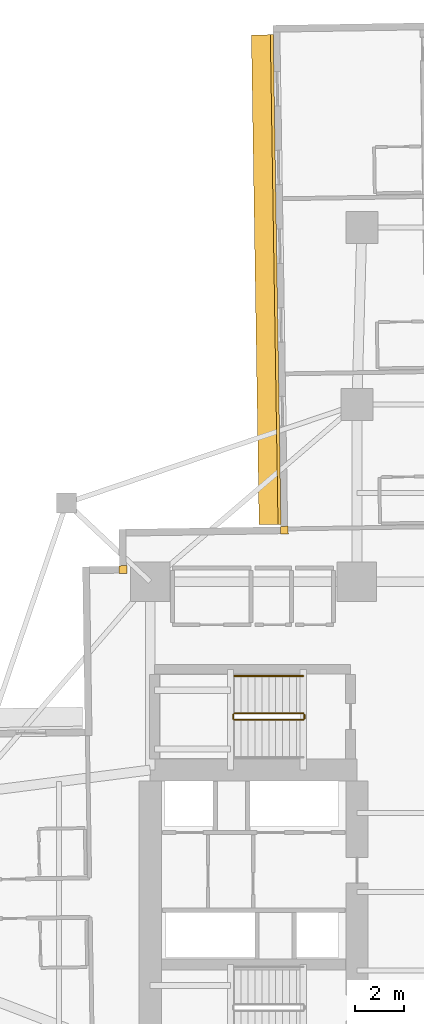
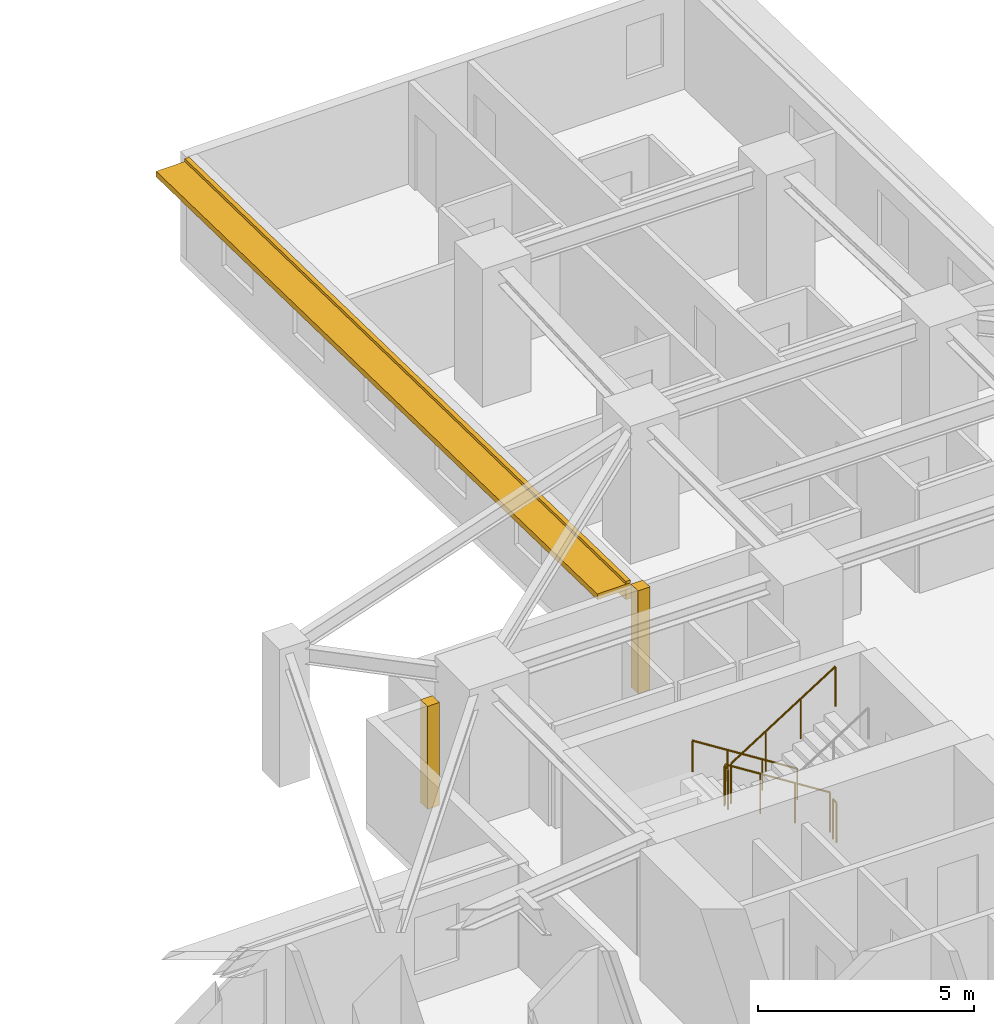
# One storey, part 13 of 14: 5 railings, 3 coverings, 1 shading device.
"""IFC4 building model written with IfcOpenShell, lengths in metres."""

from ifc_helpers import new_model, si_unit, direction, frame, origin, origin_2d, place, context, subcontext, project, spatial, rectangle, circle, extrude, material, layer, layer_set, type_object, element, save


model = new_model("IFC4")

# Units and contexts
model_context = context("Model", 3, precision=1e-05, world=origin(), true_north=direction((0.0, 1.0)))
body_context = subcontext(model_context, "Body", "Model", "MODEL_VIEW")
ifc_project = project(units=[si_unit("LENGTHUNIT", "METRE"), si_unit("AREAUNIT", "SQUARE_METRE"), si_unit("VOLUMEUNIT", "CUBIC_METRE"), si_unit("PLANEANGLEUNIT", "RADIAN"), si_unit("MASSUNIT", "GRAM", prefix="KILO")], contexts=[model_context])

# Site, building, storey
site_placement = place(None, origin())
site = spatial("IfcSite", under=ifc_project, at=site_placement, CompositionType="ELEMENT")
building_placement = place(site_placement, origin())
building = spatial("IfcBuilding", under=site, at=building_placement, Name="Qingluan Cross Belvedere", CompositionType="ELEMENT")
storey_placement = place(building_placement, frame((0.0, 0.0, 27.60009765625)))
storey = spatial("IfcBuildingStorey", under=building, at=storey_placement, Name="L07", CompositionType="ELEMENT", Elevation=27.60009765625)

# Coverings
ifc_material_1 = material(Name="Precast concrete C45", Category="concrete")
ifc_layer_1 = layer(ifc_material_1, 0.1201171875, Name="ConcreteSpandrelCladding_120")
ifc_layer_set_1 = layer_set([ifc_layer_1], Name="Precast concrete C45")
covering_type = type_object("IfcCoveringType", Name="ConcreteSpandrelCladding_120", PredefinedType="CLADDING", material=ifc_layer_set_1)
covering_placement = place(storey_placement, frame((-7.3017578125, 24.87841796875, 2.449951171875), z_axis=(0.0, 0.0, 1.0), x_axis=(0.015711457647, -0.999876567432, 0.0)))
element("IfcCovering", 1, at=covering_placement, inside=storey, type_object=covering_type, Name="Spandrel cladding L07-NB", PredefinedType="CLADDING", context=body_context, shape_type="SweptSolid", body=[
    extrude(rectangle(XDim=19.89990234375, YDim=0.1201171875, at=origin_2d()), origin(), (0.0, 0.0, 1.0), 0.52001953125),
])
for number, where, z_axis, x_axis, name in (
    (2, (-13.50732421875, 13.089599609375, 0.0), (0.0, 0.0, 1.0), (0.999876632482, 0.015707317312, 0.0), "Corner closure L07-NW1"),
    (3, (-6.95166015625, 14.692626953125, 0.0), (0.0, 0.0, 1.0), (0.999876632482, 0.015707317312, 0.0), "Corner closure L07-NW2"),
):
    element("IfcCovering", number, at=place(storey_placement, frame(where, z_axis=z_axis, x_axis=x_axis)), inside=storey, type_object=covering_type, Name=name, PredefinedType="CLADDING", context=body_context, shape_type="SweptSolid", body=[
        extrude(rectangle(XDim=0.320068359375, YDim=0.320068359375, at=origin_2d()), origin(), (0.0, 0.0, 1.0), 2.909912109375),
    ])

# Shading device
ifc_material_2 = material(Name="Precast concrete C45", Category="concrete")
ifc_layer_2 = layer(ifc_material_2, 0.159912109375, Name="ConcreteSunshadeBand_900")
ifc_layer_set_2 = layer_set([ifc_layer_2], Name="Precast concrete C45")
shading_device_type = type_object("IfcShadingDeviceType", Name="ConcreteSunshadeBand_900", PredefinedType="USERDEFINED", material=ifc_layer_set_2)
shading_device_placement = place(storey_placement, frame((-7.681640625, 24.872314453125, 2.72998046875), z_axis=(0.0, 0.0, 1.0), x_axis=(0.015711457647, -0.999876567432, 0.0)))
element("IfcShadingDevice", 4, at=shading_device_placement, inside=storey, type_object=shading_device_type, Name="Concrete SUNSHADE L07-NB", ObjectType="SUNSHADE", PredefinedType="USERDEFINED", context=body_context, shape_type="SweptSolid", body=[
    extrude(rectangle(XDim=19.89990234375, YDim=0.89990234375, at=origin_2d()), origin(), (0.0, 0.0, 1.0), 0.159912109375),
])

# Railings
ifc_material_3 = material(Name="Brushed stainless steel tubular handrail", Category="steel")
railing_type_1 = type_object("IfcRailingType", Name="StairPitchHandrail_900", PredefinedType="HANDRAIL", material=ifc_material_3)
railing_1_placement = place(storey_placement, frame((-6.179931640625, 8.77001953125, 0.17724609375)))
element("IfcRailing", 5, at=railing_1_placement, inside=storey, type_object=railing_type_1, Name="L07 ST3 stair handrail 1", PredefinedType="HANDRAIL", context=body_context, shape_type="SweptSolid", body=[
    extrude(circle(Radius=0.02392578125, at=origin_2d()), frame((0.0, 0.0, 0.8759765625), z_axis=(-0.844908973607, 0.0, 0.534910110503), x_axis=(0.0, -1.0, 0.0)), (0.0, 0.0, 1.0), 3.31396484375),
    extrude(circle(Radius=0.02099609375, at=origin_2d()), origin(), (0.0, 0.0, 1.0), 0.851806640625),
    extrude(circle(Radius=0.02099609375, at=origin_2d()), frame((-0.933349609375, 0.0, 0.5908203125)), (0.0, 0.0, 1.0), 0.851806640625),
    extrude(circle(Radius=0.02099609375, at=origin_2d()), frame((-1.86669921875, 0.0, 1.181884765625)), (0.0, 0.0, 1.0), 0.851806640625),
    extrude(circle(Radius=0.02099609375, at=origin_2d()), frame((-2.800048828125, 0.0, 1.772705078125)), (0.0, 0.0, 1.0), 0.851806640625),
])
ifc_material_4 = material(Name="Painted steel stair well guard", Category="steel")
railing_type_2 = type_object("IfcRailingType", Name="StairWellGuard_1150", PredefinedType="BALUSTRADE", material=ifc_material_4)
railing_2_placement = place(storey_placement, frame((-6.179931640625, 7.25, 0.17724609375)))
element("IfcRailing", 6, at=railing_2_placement, inside=storey, type_object=railing_type_2, Name="L07 ST3 stair guard 1", PredefinedType="BALUSTRADE", context=body_context, shape_type="SweptSolid", body=[
    extrude(circle(Radius=0.02392578125, at=origin_2d()), frame((0.0, 0.0, 1.1259765625), z_axis=(-0.844908973607, 0.0, 0.534910110503), x_axis=(0.0, -1.0, 0.0)), (0.0, 0.0, 1.0), 3.31396484375),
    extrude(circle(Radius=0.02099609375, at=origin_2d()), origin(), (0.0, 0.0, 1.0), 1.101806640625),
    extrude(circle(Radius=0.02099609375, at=origin_2d()), frame((-0.933349609375, 0.0, 0.5908203125)), (0.0, 0.0, 1.0), 1.101806640625),
    extrude(circle(Radius=0.02099609375, at=origin_2d()), frame((-1.86669921875, 0.0, 1.181884765625)), (0.0, 0.0, 1.0), 1.101806640625),
    extrude(circle(Radius=0.02099609375, at=origin_2d()), frame((-2.800048828125, 0.0, 1.772705078125)), (0.0, 0.0, 1.0), 1.101806640625),
])
railing_3_placement = place(storey_placement, frame((-9.030029296875, 7.199951171875, 1.949951171875)))
element("IfcRailing", 7, at=railing_3_placement, inside=storey, type_object=railing_type_2, Name="L07 ST3 stair guard 2", PredefinedType="BALUSTRADE", context=body_context, shape_type="SweptSolid", body=[
    extrude(circle(Radius=0.02392578125, at=origin_2d()), frame((0.0, 0.0, 1.1259765625), z_axis=(0.0, -1.0, 0.0), x_axis=(1.0, 0.0, 0.0)), (0.0, 0.0, 1.0), 0.159912109375),
    extrude(circle(Radius=0.02099609375, at=origin_2d()), origin(), (0.0, 0.0, 1.0), 1.101806640625),
    extrude(circle(Radius=0.02099609375, at=origin_2d()), frame((0.0, -0.159912109375, 0.0)), (0.0, 0.0, 1.0), 1.101806640625),
])
railing_4_placement = place(storey_placement, frame((-8.97998046875, 6.989990234375, 2.127197265625)))
element("IfcRailing", 8, at=railing_4_placement, inside=storey, type_object=railing_type_2, Name="L07 ST3 stair guard 3", PredefinedType="BALUSTRADE", context=body_context, shape_type="SweptSolid", body=[
    extrude(circle(Radius=0.02392578125, at=origin_2d()), frame((0.0, 0.0, 1.1259765625), z_axis=(0.844908973607, 0.0, 0.534910110503), x_axis=(0.0, 1.0, 0.0)), (0.0, 0.0, 1.0), 3.31396484375),
    extrude(circle(Radius=0.02099609375, at=origin_2d()), origin(), (0.0, 0.0, 1.0), 1.101806640625),
    extrude(circle(Radius=0.02099609375, at=origin_2d()), frame((0.933349609375, 0.0, 0.5908203125)), (0.0, 0.0, 1.0), 1.101806640625),
    extrude(circle(Radius=0.02099609375, at=origin_2d()), frame((1.86669921875, 0.0, 1.181884765625)), (0.0, 0.0, 1.0), 1.101806640625),
    extrude(circle(Radius=0.02099609375, at=origin_2d()), frame((2.800048828125, 0.0, 1.772705078125)), (0.0, 0.0, 1.0), 1.101806640625),
])
railing_5_placement = place(storey_placement, frame((-6.1298828125, 7.199951171875, 0.0)))
element("IfcRailing", 9, at=railing_5_placement, inside=storey, type_object=railing_type_2, Name="L07 ST3 stair guard 4", PredefinedType="BALUSTRADE", context=body_context, shape_type="SweptSolid", body=[
    extrude(circle(Radius=0.02392578125, at=origin_2d()), frame((0.0, 0.0, 1.1259765625), z_axis=(0.0, -1.0, 0.0), x_axis=(1.0, 0.0, 0.0)), (0.0, 0.0, 1.0), 0.159912109375),
    extrude(circle(Radius=0.02099609375, at=origin_2d()), origin(), (0.0, 0.0, 1.0), 1.101806640625),
    extrude(circle(Radius=0.02099609375, at=origin_2d()), frame((0.0, -0.159912109375, 0.0)), (0.0, 0.0, 1.0), 1.101806640625),
])

save(model, "model.ifc")
